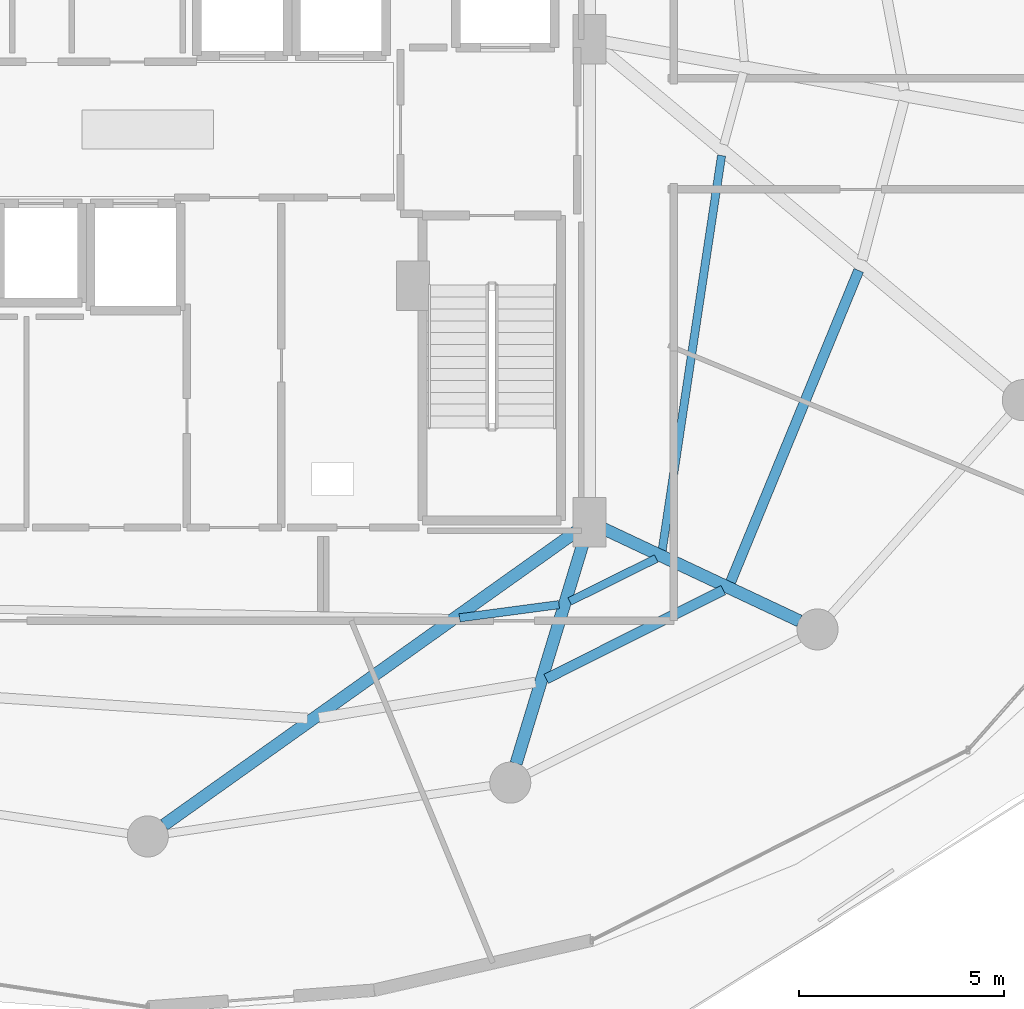
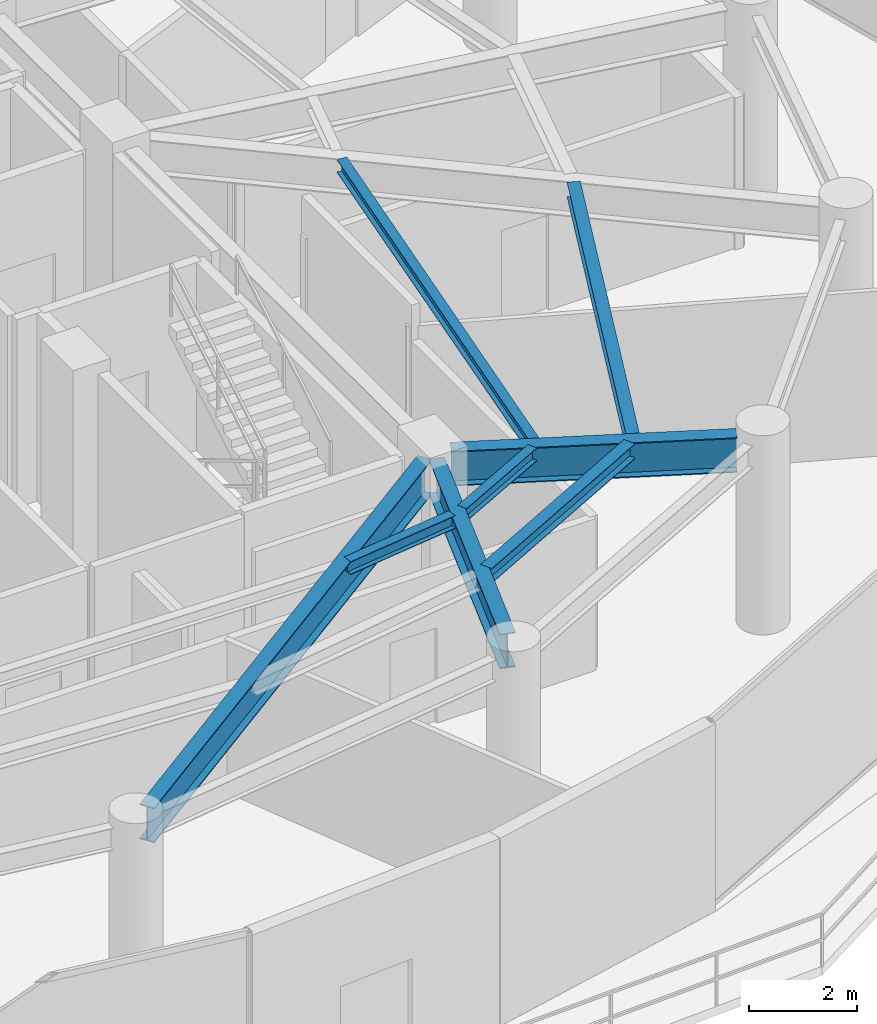
# One storey, part 12 of 31: 8 beams.
"""IFC4 building model written with IfcOpenShell, lengths in metres."""

from ifc_helpers import new_model, si_unit, direction, frame, origin, origin_2d, place, context, subcontext, project, spatial, i_section, extrude, material, material_profile, profile_set, type_object, element, save


model = new_model("IFC4")

# Units and contexts
model_context = context("Model", 3, precision=1e-05, world=origin(), true_north=direction((0.0, 1.0)))
body_context = subcontext(model_context, "Body", "Model", "MODEL_VIEW")
ifc_project = project(units=[si_unit("LENGTHUNIT", "METRE"), si_unit("AREAUNIT", "SQUARE_METRE"), si_unit("VOLUMEUNIT", "CUBIC_METRE"), si_unit("PLANEANGLEUNIT", "RADIAN"), si_unit("MASSUNIT", "GRAM", prefix="KILO")], contexts=[model_context])

# Site, building, storey
site_placement = place(None, origin())
site = spatial("IfcSite", under=ifc_project, at=site_placement, CompositionType="ELEMENT")
building_placement = place(site_placement, origin())
building = spatial("IfcBuilding", under=site, at=building_placement, Name="Vorneva Point Tower", CompositionType="ELEMENT")
storey_placement = place(building_placement, frame((0.0, 0.0, 174.60009765625)))
storey = spatial("IfcBuildingStorey", under=building, at=storey_placement, Name="L47", CompositionType="ELEMENT", Elevation=174.60009765625)

# Beams
ifc_material = material(Name="Steel S355", Category="steel")
ifc_material_profile_1 = material_profile(ifc_material, i_section(OverallWidth=0.300048828125, OverallDepth=0.7880859375, WebThickness=0.014404296875, FlangeThickness=0.02197265625, at=origin_2d()), Name="80Sh1")
ifc_profile_set_1 = profile_set([ifc_material_profile_1], Name="Steel S355")
beam_type_1 = type_object("IfcBeamType", Name="BM-GRD-80Sh1", PredefinedType="USERDEFINED", material=ifc_profile_set_1)
beam_1_placement = place(storey_placement, frame((38.397705078125, 9.0830078125, 3.845947265625), z_axis=(0.814751382529, 0.579810473057, 0.0), x_axis=(-0.579810473057, 0.814751382529, 0.0)))
element("IfcBeam", 1, at=beam_1_placement, inside=storey, type_object=beam_type_1, Name="L47 Radial Primary Girder 13", ObjectType="GIRDER", PredefinedType="USERDEFINED", context=body_context, shape_type="SweptSolid", body=[
    extrude(i_section(OverallWidth=0.300048828125, OverallDepth=0.7880859375, WebThickness=0.014404296875, FlangeThickness=0.02197265625, at=origin_2d()), origin(), (0.0, 0.0, 1.0), 12.365966796875),
])
beam_2_placement = place(storey_placement, frame((46.962890625, 10.576171875, 3.845947265625), z_axis=(0.291049382966, 0.95670803105, 0.0), x_axis=(-0.95670803105, 0.291049382966, 0.0)))
element("IfcBeam", 2, at=beam_2_placement, inside=storey, type_object=beam_type_1, Name="L47 Radial Primary Girder 14", ObjectType="GIRDER", PredefinedType="USERDEFINED", context=body_context, shape_type="SweptSolid", body=[
    extrude(i_section(OverallWidth=0.300048828125, OverallDepth=0.7880859375, WebThickness=0.014404296875, FlangeThickness=0.02197265625, at=origin_2d()), origin(), (0.0, 0.0, 1.0), 5.799560546875),
])
beam_3_placement = place(storey_placement, frame((53.857421875, 14.045654296875, 3.845947265625), z_axis=(-0.904761331435, 0.425918927896, 0.0), x_axis=(-0.425918927896, -0.904761331435, 0.0)))
element("IfcBeam", 3, at=beam_3_placement, inside=storey, type_object=beam_type_1, Name="L47 Radial Primary Girder 15", ObjectType="GIRDER", PredefinedType="USERDEFINED", context=body_context, shape_type="SweptSolid", body=[
    extrude(i_section(OverallWidth=0.300048828125, OverallDepth=0.7880859375, WebThickness=0.014404296875, FlangeThickness=0.02197265625, at=origin_2d()), origin(), (0.0, 0.0, 1.0), 5.304931640625),
])
ifc_material_profile_2 = material_profile(ifc_material, i_section(OverallWidth=0.199951171875, OverallDepth=0.291015625, WebThickness=0.008056640625, FlangeThickness=0.010986328125, at=origin_2d()), Name="30Sh1")
ifc_profile_set_2 = profile_set([ifc_material_profile_2], Name="Steel S355")
beam_type_2 = type_object("IfcBeamType", Name="BM-SEC-30Sh1", PredefinedType="BEAM", material=ifc_profile_set_2)
beam_4_placement = place(storey_placement, frame((45.587158203125, 14.1201171875, 4.094482421875), z_axis=(0.991280212935, 0.131770783726, 0.0), x_axis=(-0.131770783726, 0.991280212935, 0.0)))
element("IfcBeam", 4, at=beam_4_placement, inside=storey, type_object=beam_type_2, Name="L47 Secondary Floor Beam 2.13", PredefinedType="BEAM", context=body_context, shape_type="SweptSolid", body=[
    extrude(i_section(OverallWidth=0.199951171875, OverallDepth=0.291015625, WebThickness=0.008056640625, FlangeThickness=0.010986328125, at=origin_2d()), origin(), (0.0, 0.0, 1.0), 2.44189453125),
])
beam_5_placement = place(storey_placement, frame((48.268310546875, 14.521484375, 4.094482421875), z_axis=(0.895835455774, 0.444385909068, 0.0), x_axis=(-0.444385909068, 0.895835455774, 0.0)))
element("IfcBeam", 5, at=beam_5_placement, inside=storey, type_object=beam_type_2, Name="L47 Secondary Floor Beam 2.14", PredefinedType="BEAM", context=body_context, shape_type="SweptSolid", body=[
    extrude(i_section(OverallWidth=0.199951171875, OverallDepth=0.291015625, WebThickness=0.008056640625, FlangeThickness=0.010986328125, at=origin_2d()), origin(), (0.0, 0.0, 1.0), 2.350341796875),
])
beam_6_placement = place(storey_placement, frame((50.51806640625, 15.763916015625, 4.094482421875), z_axis=(0.148781631303, 0.988870075484, 0.0), x_axis=(-0.988870075484, 0.148781631303, 0.0)))
element("IfcBeam", 6, at=beam_6_placement, inside=storey, type_object=beam_type_2, Name="L47 Secondary Floor Beam 2.15", PredefinedType="BEAM", context=body_context, shape_type="SweptSolid", body=[
    extrude(i_section(OverallWidth=0.199951171875, OverallDepth=0.291015625, WebThickness=0.008056640625, FlangeThickness=0.010986328125, at=origin_2d()), origin(), (0.0, 0.0, 1.0), 9.71435546875),
])
ifc_material_profile_3 = material_profile(ifc_material, i_section(OverallWidth=0.2490234375, OverallDepth=0.333984375, WebThickness=0.008056640625, FlangeThickness=0.010986328125, at=origin_2d()), Name="35Sh1")
ifc_profile_set_3 = profile_set([ifc_material_profile_3], Name="Steel S355")
beam_type_3 = type_object("IfcBeamType", Name="BM-SEC-35Sh1", PredefinedType="BEAM", material=ifc_profile_set_3)
beam_7_placement = place(storey_placement, frame((47.694091796875, 12.635498046875, 4.072998046875), z_axis=(0.893940770693, 0.448185116322, 0.0), x_axis=(-0.448185116322, 0.893940770693, 0.0)))
element("IfcBeam", 7, at=beam_7_placement, inside=storey, type_object=beam_type_3, Name="L47 Secondary Floor Beam 1.14", PredefinedType="BEAM", context=body_context, shape_type="SweptSolid", body=[
    extrude(i_section(OverallWidth=0.2490234375, OverallDepth=0.333984375, WebThickness=0.008056640625, FlangeThickness=0.010986328125, at=origin_2d()), origin(), (0.0, 0.0, 1.0), 4.823486328125),
])
beam_8_placement = place(storey_placement, frame((52.181884765625, 14.98681640625, 4.072998046875), z_axis=(0.380236271938, 0.924889386631, 0.0), x_axis=(-0.924889386631, 0.380236271938, 0.0)))
element("IfcBeam", 8, at=beam_8_placement, inside=storey, type_object=beam_type_3, Name="L47 Secondary Floor Beam 1.15", PredefinedType="BEAM", context=body_context, shape_type="SweptSolid", body=[
    extrude(i_section(OverallWidth=0.2490234375, OverallDepth=0.333984375, WebThickness=0.008056640625, FlangeThickness=0.010986328125, at=origin_2d()), origin(), (0.0, 0.0, 1.0), 8.20263671875),
])

save(model, "model.ifc")
